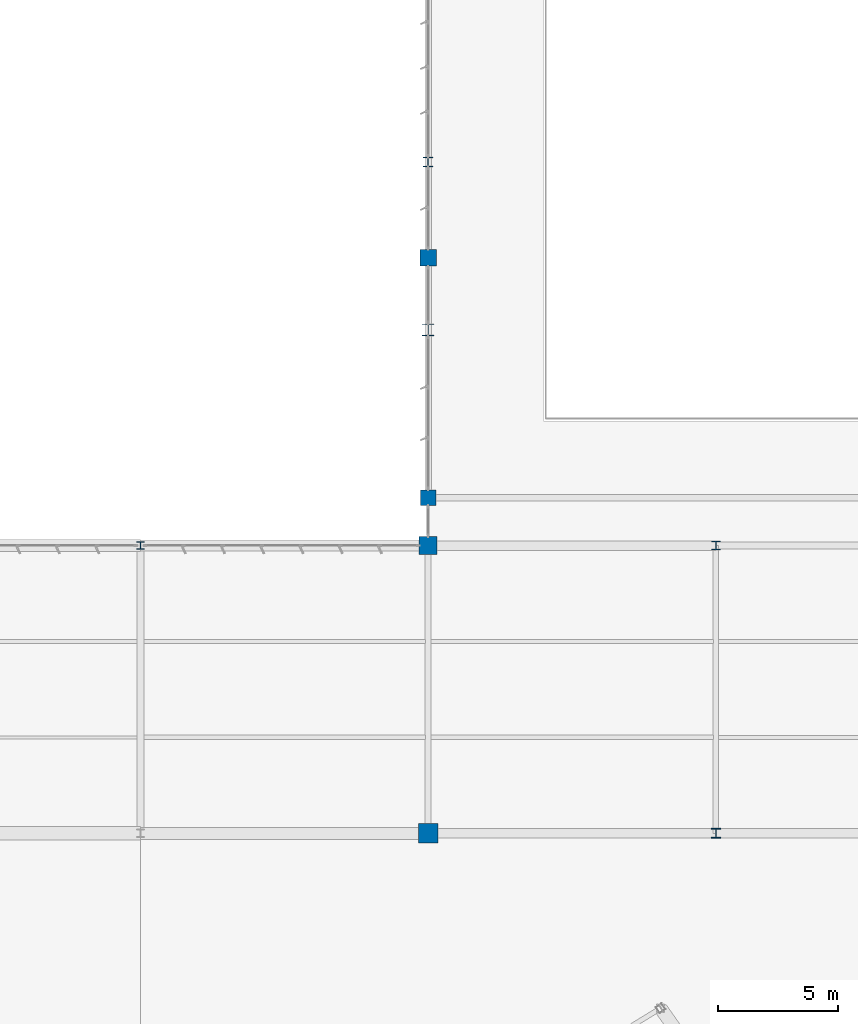
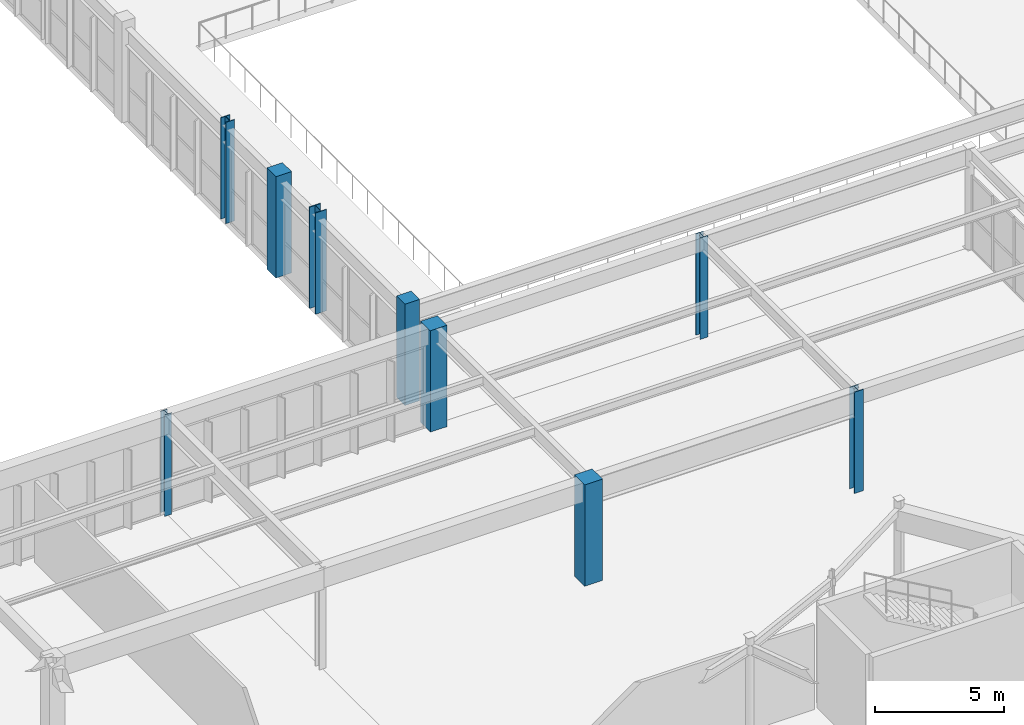
# One storey, part 14 of 186: 9 columns.
"""IFC4 building model written with IfcOpenShell, lengths in metres."""

import ifcopenshell
import ifcopenshell.guid

model = None  # the IFC model being written
_history = None  # IfcOwnerHistory: only IFC2X3 demands one
_inside = {}  # id of a spatial element -> (the spatial element, [elements in it])
_under = {}  # id of a project, library or spatial element -> (it, [spatial elements below it])
_declared = {}  # id of a project -> (the project, [libraries it declares])
_typed = {}  # id of a type object -> (the type object, [elements of that type])
_made_of = {}  # id of a material, layer set ... -> (it, [elements and type objects made of it])


def new_model(schema):
    """Start an empty IFC model of exactly this schema.

    Asked for "IFC4X3", IfcOpenShell would pick the latest addendum, in which some entities
    have other attributes; the version numbers below select the first issue.
    IFC2X3 requires an IfcOwnerHistory on every rooted entity: one is made here for all.
    """
    global model, _history
    if schema == "IFC4X3":
        model = ifcopenshell.file(schema_version=(4, 3, 0, 0))
    else:
        model = ifcopenshell.file(schema=schema)
    _inside.clear()
    _under.clear()
    _declared.clear()
    _typed.clear()
    _made_of.clear()
    _history = None
    if model.schema == "IFC2X3":
        org = make("IfcOrganization", Name="unknown")
        user = make(
            "IfcPersonAndOrganization",
            ThePerson=make("IfcPerson", FamilyName="unknown"),
            TheOrganization=org,
        )
        app = make(
            "IfcApplication",
            ApplicationDeveloper=org,
            Version="unknown",
            ApplicationFullName="unknown",
            ApplicationIdentifier="unknown",
        )
        _history = make(
            "IfcOwnerHistory",
            OwningUser=user,
            OwningApplication=app,
            ChangeAction="ADDED",
            CreationDate=0,
        )
    return model


def make(cls, **values):
    """One entity of the class cls with the attributes given. An attribute that is None is left unset."""
    return model.create_entity(
        cls, **{name: value for name, value in values.items() if value is not None}
    )


def rooted(cls, **values):
    """An entity with a GlobalId (a new one), such as an element, a storey or a relation."""
    return make(cls, GlobalId=ifcopenshell.guid.new(), OwnerHistory=_history, **values)


def si_unit(unit_type, name, prefix=None):
    """IfcSIUnit, for example si_unit("LENGTHUNIT", "METRE", prefix="MILLI")."""
    return make("IfcSIUnit", UnitType=unit_type, Prefix=prefix, Name=name)


def assignment(units):
    """IfcUnitAssignment: the units of a project."""
    return None if units is None else make("IfcUnitAssignment", Units=units)


def point(xyz):
    """IfcCartesianPoint."""
    return None if xyz is None else make("IfcCartesianPoint", Coordinates=xyz)


def direction(xyz):
    """IfcDirection."""
    return None if xyz is None else make("IfcDirection", DirectionRatios=xyz)


def frame(location, z_axis=None, x_axis=None):
    """IfcAxis2Placement3D, a coordinate frame: its origin and axes. An axis left out is left unset."""
    return make(
        "IfcAxis2Placement3D",
        Location=point(location),
        Axis=direction(z_axis),
        RefDirection=direction(x_axis),
    )


def frame_2d(location, x_axis=None):
    """IfcAxis2Placement2D, a coordinate frame in the plane: its origin and x axis."""
    return make(
        "IfcAxis2Placement2D", Location=point(location), RefDirection=direction(x_axis)
    )


def origin():
    """The frame at (0, 0, 0) with its axes left unset."""
    return frame((0.0, 0.0, 0.0))


def origin_2d():
    """The frame at (0, 0) in the plane with its x axis left unset."""
    return frame_2d((0.0, 0.0))


def place(relative_to, where):
    """IfcLocalPlacement: puts the frame where relative to a parent placement (None: the world)."""
    return make(
        "IfcLocalPlacement", PlacementRelTo=relative_to, RelativePlacement=where
    )


def context(
    kind, dimensions, precision=None, world=None, true_north=None, identifier=None
):
    """IfcGeometricRepresentationContext, for example the 3D "Model" context."""
    return make(
        "IfcGeometricRepresentationContext",
        ContextIdentifier=identifier,
        ContextType=kind,
        CoordinateSpaceDimension=dimensions,
        Precision=precision,
        WorldCoordinateSystem=world,
        TrueNorth=true_north,
    )


def subcontext(parent, identifier, kind, view, scale=None):
    """IfcGeometricRepresentationSubContext, for example "Body" below "Model"."""
    return make(
        "IfcGeometricRepresentationSubContext",
        ContextIdentifier=identifier,
        ContextType=kind,
        ParentContext=parent,
        TargetScale=scale,
        TargetView=view,
    )


def project(units=None, contexts=None):
    """IfcProject with its units and contexts."""
    return rooted(
        "IfcProject",
        Name="project",
        RepresentationContexts=contexts,
        UnitsInContext=assignment(units),
    )


def spatial(cls, under=None, at=None, **own):
    """A site, building, storey or space (cls), placed at a placement, below another one or the project."""
    s = rooted(cls, ObjectPlacement=at, **own)
    if under is not None:
        _under.setdefault(under.id(), (under, []))[1].append(s)
    return s


def profile(cls, at=None, kind="AREA", **sizes):
    """A parametric profile (cls). Its sizes go by their IFC names, for example OverallWidth=200.0."""
    return make(cls, ProfileType=kind, Position=at, **sizes)


def rectangle(**sizes):
    """IfcRectangleProfileDef."""
    return profile("IfcRectangleProfileDef", **sizes)


def i_section(**sizes):
    """IfcIShapeProfileDef."""
    return profile("IfcIShapeProfileDef", **sizes)


def extrude(swept, where, along, depth):
    """IfcExtrudedAreaSolid: the profile swept, set in the frame where, extruded along a direction by depth."""
    return make(
        "IfcExtrudedAreaSolid",
        SweptArea=swept,
        Position=where,
        ExtrudedDirection=direction(along),
        Depth=depth,
    )


def shape(context_of_items, identifier, shape_type, items):
    """IfcShapeRepresentation: the items that make up one representation, for example the "Body"."""
    return make(
        "IfcShapeRepresentation",
        ContextOfItems=context_of_items,
        RepresentationIdentifier=identifier,
        RepresentationType=shape_type,
        Items=items,
    )


def material(Name=None, Category=None):
    """IfcMaterial."""
    return make("IfcMaterial", Name=Name, Category=Category)


def material_profile(
    of_material, cross_section, Name=None, Category=None, Priority=None
):
    """IfcMaterialProfile: a cross section and its material."""
    return make(
        "IfcMaterialProfile",
        Name=Name,
        Material=of_material,
        Profile=cross_section,
        Priority=Priority,
        Category=Category,
    )


def profile_set(profiles, Name=None, composite=None):
    """IfcMaterialProfileSet."""
    return make(
        "IfcMaterialProfileSet",
        Name=Name,
        MaterialProfiles=profiles,
        CompositeProfile=composite,
    )


def made_of(thing, what):
    """Note that an element or type object is made of a material, layer set ...; save() writes the relation."""
    if what is not None:
        _made_of.setdefault(what.id(), (what, []))[1].append(thing)
    return thing


def type_object(cls, material=None, **own):
    """A type object (cls), such as IfcWallType, which elements share."""
    return made_of(rooted(cls, **own), material)


def element(
    cls,
    number,
    at=None,
    inside=None,
    cuts=None,
    type_object=None,
    material=None,
    context=None,
    identifier="Body",
    shape_type=None,
    held_by="IfcProductDefinitionShape",
    body=None,
    shapes=None,
    **own,
):
    """One element of the class cls, such as IfcWall. Its Tag is "e" and its number.

    at: its placement. inside: the storey or other place that contains it. cuts: it is an
    opening in that element (IfcRelVoidsElement). A single representation is given by context,
    identifier, shape_type and body (its items); several are given by shapes. held_by: the class
    of the entity that holds the representations. save() writes the other relations.
    """
    e = rooted(cls, Tag="e%d" % number, ObjectPlacement=at, **own)
    if body is not None:
        shapes = [shape(context, identifier, shape_type, body)]
    if shapes is not None:
        e.Representation = make(held_by, Representations=shapes)
    if inside is not None:
        _inside.setdefault(inside.id(), (inside, []))[1].append(e)
    if cuts is not None:
        rooted(
            "IfcRelVoidsElement", RelatingBuildingElement=cuts, RelatedOpeningElement=e
        )
    if type_object is not None:
        _typed.setdefault(type_object.id(), (type_object, []))[1].append(e)
    return made_of(e, material)


def aggregate(whole, parts):
    """IfcRelAggregates: a whole, such as a stair, and the parts it consists of."""
    return rooted("IfcRelAggregates", RelatingObject=whole, RelatedObjects=parts)


def save(model, path):
    """Write the relations noted so far, then the file.

    IfcRelAggregates (storeys below a building ...), IfcRelContainedInSpatialStructure (elements
    in a storey), IfcRelDefinesByType, IfcRelAssociatesMaterial and IfcRelDeclares: one each for
    every whole, place, type object, material and project.
    """
    for whole, parts in _under.values():
        aggregate(whole, parts)
    for where, things in _inside.values():
        rooted(
            "IfcRelContainedInSpatialStructure",
            RelatedElements=things,
            RelatingStructure=where,
        )
    for kind, things in _typed.values():
        rooted("IfcRelDefinesByType", RelatedObjects=things, RelatingType=kind)
    for what, things in _made_of.values():
        rooted("IfcRelAssociatesMaterial", RelatedObjects=things, RelatingMaterial=what)
    for by, libraries in _declared.values():
        rooted("IfcRelDeclares", RelatingContext=by, RelatedDefinitions=libraries)
    model.write(path)


model = new_model("IFC4")

# Units and contexts
model_context = context("Model", 3, precision=1e-05, world=origin(), true_north=direction((0.0, 1.0)))
body_context = subcontext(model_context, "Body", "Model", "MODEL_VIEW")
ifc_project = project(units=[si_unit("LENGTHUNIT", "METRE"), si_unit("AREAUNIT", "SQUARE_METRE"), si_unit("VOLUMEUNIT", "CUBIC_METRE"), si_unit("PLANEANGLEUNIT", "RADIAN"), si_unit("MASSUNIT", "GRAM", prefix="KILO")], contexts=[model_context])

# Site, building, storey
site_placement = place(None, origin())
site = spatial("IfcSite", under=ifc_project, at=site_placement, CompositionType="ELEMENT")
building_placement = place(site_placement, origin())
building = spatial("IfcBuilding", under=site, at=building_placement, Name="Tarnwether General Hospital", CompositionType="ELEMENT")
storey_placement = place(building_placement, frame((0.0, 0.0, 9.60009765625)))
storey = spatial("IfcBuildingStorey", under=building, at=storey_placement, Name="L02", CompositionType="ELEMENT", Elevation=9.60009765625)

# Columns
ifc_material_1 = material(Name="Steel Grade 350 (350 MPa)", Category="steel")
ifc_material_profile_1 = material_profile(ifc_material_1, i_section(OverallWidth=0.5, OverallDepth=0.5, WebThickness=0.02197265625, FlangeThickness=0.035888671875, at=origin_2d()), Name="500WC380")
ifc_profile_set_1 = profile_set([ifc_material_profile_1], Name="Steel Grade 350 (350 MPa)")
column_type_1 = type_object("IfcColumnType", Name="COL-01", PredefinedType="COLUMN", material=ifc_profile_set_1)
column_1_placement = place(storey_placement, frame((108.0, 54.60009765625, 0.0), z_axis=(0.0, 0.0, 1.0), x_axis=(1.0, 0.0, 0.0)))
element("IfcColumn", 1, at=column_1_placement, inside=storey, type_object=column_type_1, Name="Column COLG-L02-10800_5460", PredefinedType="COLUMN", context=body_context, shape_type="SweptSolid", body=[
    extrude(i_section(OverallWidth=0.5, OverallDepth=0.5, WebThickness=0.02197265625, FlangeThickness=0.035888671875, at=origin_2d()), origin(), (0.0, 0.0, 1.0), 4.7998046875),
])
ifc_material_2 = material(Name="Steel Grade 350 (350 MPa)", Category="steel")
ifc_material_profile_2 = material_profile(ifc_material_2, i_section(OverallWidth=0.39990234375, OverallDepth=0.39990234375, WebThickness=0.02001953125, FlangeThickness=0.028076171875, at=origin_2d()), Name="400WC270")
ifc_profile_set_2 = profile_set([ifc_material_profile_2], Name="Steel Grade 350 (350 MPa)")
column_type_2 = type_object("IfcColumnType", Name="COL-02", PredefinedType="COLUMN", material=ifc_profile_set_2)
for number, where, z_axis, x_axis, name in (
    (2, (120.0, 33.60009765625, 0.0), (0.0, 0.0, 1.0), (1.0, 0.0, 0.0), "Column COLG-L02-12000_3360"),
    (3, (108.0, 61.60009765625, 0.0), (0.0, 0.0, 1.0), (1.0, 0.0, 0.0), "Column COLG-L02-10800_6160"),
):
    element("IfcColumn", number, at=place(storey_placement, frame(where, z_axis=z_axis, x_axis=x_axis)), inside=storey, type_object=column_type_2, Name=name, PredefinedType="COLUMN", context=body_context, shape_type="SweptSolid", body=[
        extrude(i_section(OverallWidth=0.39990234375, OverallDepth=0.39990234375, WebThickness=0.02001953125, FlangeThickness=0.028076171875, at=origin_2d()), origin(), (0.0, 0.0, 1.0), 4.7998046875),
    ])
ifc_material_3 = material(Name="Steel Grade 350 (350 MPa)", Category="steel")
ifc_material_profile_3 = material_profile(ifc_material_3, i_section(OverallWidth=0.35009765625, OverallDepth=0.360107421875, WebThickness=0.01611328125, FlangeThickness=0.028076171875, at=origin_2d()), Name="350WC230")
ifc_profile_set_3 = profile_set([ifc_material_profile_3], Name="Steel Grade 350 (350 MPa)")
column_type_3 = type_object("IfcColumnType", Name="COL-03", PredefinedType="COLUMN", material=ifc_profile_set_3)
column_2_placement = place(storey_placement, frame((120.0, 45.60009765625, 0.0), z_axis=(0.0, 0.0, 1.0), x_axis=(1.0, 0.0, 0.0)))
element("IfcColumn", 4, at=column_2_placement, inside=storey, type_object=column_type_3, Name="Column COLG-L02-12000_4560", PredefinedType="COLUMN", context=body_context, shape_type="SweptSolid", body=[
    extrude(i_section(OverallWidth=0.35009765625, OverallDepth=0.360107421875, WebThickness=0.01611328125, FlangeThickness=0.028076171875, at=origin_2d()), origin(), (0.0, 0.0, 1.0), 4.7998046875),
])
ifc_material_4 = material(Name="Steel Grade 350 (350 MPa)", Category="steel")
ifc_material_profile_4 = material_profile(ifc_material_4, i_section(OverallWidth=0.306884765625, OverallDepth=0.31494140625, WebThickness=0.011962890625, FlangeThickness=0.018798828125, at=origin_2d()), Name="310UC118")
ifc_profile_set_4 = profile_set([ifc_material_profile_4], Name="Steel Grade 350 (350 MPa)")
column_type_4 = type_object("IfcColumnType", Name="COL-07", PredefinedType="COLUMN", material=ifc_profile_set_4)
column_3_placement = place(storey_placement, frame((96.0, 45.60009765625, 0.0), z_axis=(0.0, 0.0, 1.0), x_axis=(1.0, 0.0, 0.0)))
element("IfcColumn", 5, at=column_3_placement, inside=storey, type_object=column_type_4, Name="Column COLG-L02-9600_4560", PredefinedType="COLUMN", context=body_context, shape_type="SweptSolid", body=[
    extrude(i_section(OverallWidth=0.306884765625, OverallDepth=0.31494140625, WebThickness=0.011962890625, FlangeThickness=0.018798828125, at=origin_2d()), origin(), (0.0, 0.0, 1.0), 4.7998046875),
])
ifc_material_5 = material(Name="Concrete 50 MPa", Category="concrete")
ifc_material_profile_5 = material_profile(ifc_material_5, rectangle(XDim=0.800048828125, YDim=0.800048828125, at=origin_2d()), Name="RC-COL-800x800")
ifc_profile_set_5 = profile_set([ifc_material_profile_5], Name="Concrete 50 MPa")
column_type_5 = type_object("IfcColumnType", Name="COL-16", PredefinedType="COLUMN", material=ifc_profile_set_5)
column_4_placement = place(storey_placement, frame((108.0, 33.60009765625, 0.0), z_axis=(0.0, 0.0, 1.0), x_axis=(0.0, 1.0, 0.0)))
element("IfcColumn", 6, at=column_4_placement, inside=storey, type_object=column_type_5, Name="Column COLG-L02-10800_3360", PredefinedType="COLUMN", context=body_context, shape_type="SweptSolid", body=[
    extrude(rectangle(XDim=0.800048828125, YDim=0.800048828125, at=origin_2d()), origin(), (0.0, 0.0, 1.0), 4.7998046875),
])
ifc_material_6 = material(Name="Concrete 50 MPa", Category="concrete")
ifc_material_profile_6 = material_profile(ifc_material_6, rectangle(XDim=0.75, YDim=0.75, at=origin_2d()), Name="RC-COL-750x750")
ifc_profile_set_6 = profile_set([ifc_material_profile_6], Name="Concrete 50 MPa")
column_type_6 = type_object("IfcColumnType", Name="COL-17", PredefinedType="COLUMN", material=ifc_profile_set_6)
column_5_placement = place(storey_placement, frame((108.0, 45.60009765625, 0.0), z_axis=(0.0, 0.0, 1.0), x_axis=(0.0, 1.0, 0.0)))
element("IfcColumn", 7, at=column_5_placement, inside=storey, type_object=column_type_6, Name="Column COLG-L02-10800_4560", PredefinedType="COLUMN", context=body_context, shape_type="SweptSolid", body=[
    extrude(rectangle(XDim=0.75, YDim=0.75, at=origin_2d()), origin(), (0.0, 0.0, 1.0), 4.7998046875),
])
ifc_material_7 = material(Name="Concrete 50 MPa", Category="concrete")
ifc_material_profile_7 = material_profile(ifc_material_7, rectangle(XDim=0.699951171875, YDim=0.699951171875, at=origin_2d()), Name="RC-COL-700x700")
ifc_profile_set_7 = profile_set([ifc_material_profile_7], Name="Concrete 50 MPa")
column_type_7 = type_object("IfcColumnType", Name="COL-18", PredefinedType="COLUMN", material=ifc_profile_set_7)
column_6_placement = place(storey_placement, frame((108.0, 57.60009765625, 0.0), z_axis=(0.0, 0.0, 1.0), x_axis=(0.0, 1.0, 0.0)))
element("IfcColumn", 8, at=column_6_placement, inside=storey, type_object=column_type_7, Name="Column COLG-L02-10800_5760", PredefinedType="COLUMN", context=body_context, shape_type="SweptSolid", body=[
    extrude(rectangle(XDim=0.699951171875, YDim=0.699951171875, at=origin_2d()), origin(), (0.0, 0.0, 1.0), 4.7998046875),
])
ifc_material_8 = material(Name="Concrete 50 MPa", Category="concrete")
ifc_material_profile_8 = material_profile(ifc_material_8, rectangle(XDim=0.64990234375, YDim=0.64990234375, at=origin_2d()), Name="RC-COL-650x650")
ifc_profile_set_8 = profile_set([ifc_material_profile_8], Name="Concrete 50 MPa")
column_type_8 = type_object("IfcColumnType", Name="COL-35", PredefinedType="COLUMN", material=ifc_profile_set_8)
column_7_placement = place(storey_placement, frame((108.0, 47.60009765625, 0.0), z_axis=(0.0, 0.0, 1.0), x_axis=(1.0, 0.0, 0.0)))
element("IfcColumn", 9, at=column_7_placement, inside=storey, type_object=column_type_8, Name="Column COLG-L02-10800_4760", PredefinedType="COLUMN", context=body_context, shape_type="SweptSolid", body=[
    extrude(rectangle(XDim=0.64990234375, YDim=0.64990234375, at=origin_2d()), origin(), (0.0, 0.0, 1.0), 4.7998046875),
])

save(model, "model.ifc")
